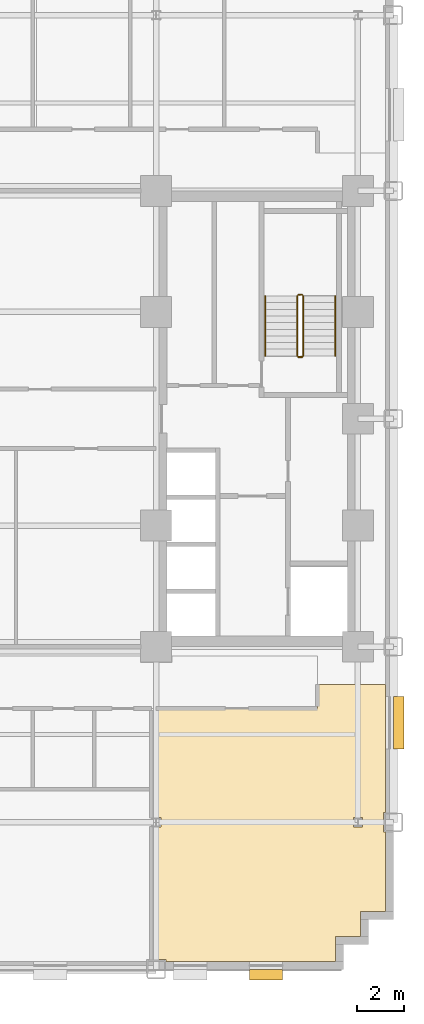
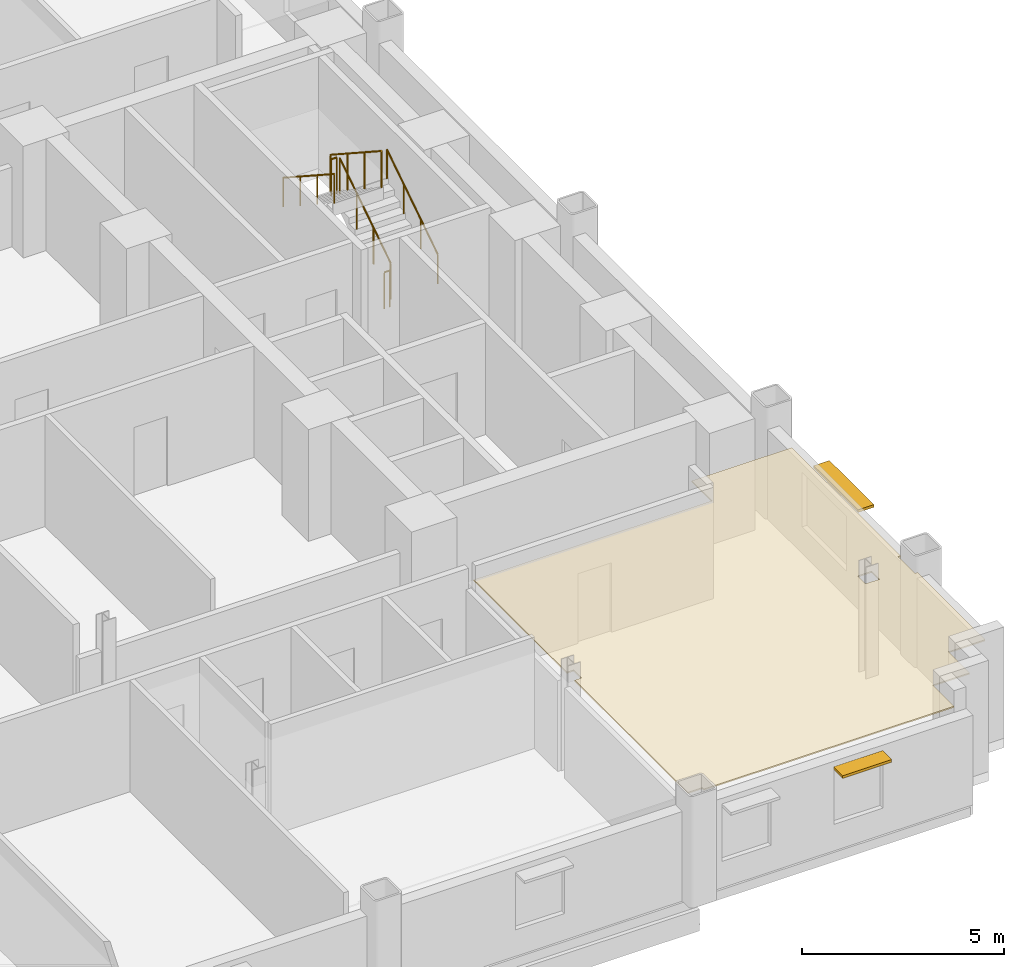
# One storey, part 11 of 12: 6 railings, 2 shading devices, 1 covering.
"""IFC4 building model written with IfcOpenShell, lengths in metres."""

from ifc_helpers import new_model, si_unit, direction, frame, origin, origin_2d, place, context, subcontext, project, spatial, polyline, rectangle, circle, outline, extrude, source, transform, mapped, material, layer, layer_set, type_object, type_shapes, element, save


model = new_model("IFC4")

# Units and contexts
model_context = context("Model", 3, precision=1e-05, world=origin(), true_north=direction((0.0, 1.0)))
body_context = subcontext(model_context, "Body", "Model", "MODEL_VIEW")
ifc_project = project(units=[si_unit("LENGTHUNIT", "METRE"), si_unit("AREAUNIT", "SQUARE_METRE"), si_unit("VOLUMEUNIT", "CUBIC_METRE"), si_unit("PLANEANGLEUNIT", "RADIAN"), si_unit("MASSUNIT", "GRAM", prefix="KILO")], contexts=[model_context])

# Site, building, storey
site_placement = place(None, origin())
site = spatial("IfcSite", under=ifc_project, at=site_placement, CompositionType="ELEMENT")
building_placement = place(site_placement, origin())
building = spatial("IfcBuilding", under=site, at=building_placement, Name="Nuvemarco Arch Tower", CompositionType="ELEMENT")
storey_placement = place(building_placement, frame((0.0, 0.0, 34.89990234375)))
storey = spatial("IfcBuildingStorey", under=building, at=storey_placement, Name="L08", CompositionType="ELEMENT", Elevation=34.89990234375)

# Covering
ifc_material_1 = material(Name="Mineral acoustic ceiling tile")
ifc_layer = layer(ifc_material_1, 0.0400390625, Name="COV-ACOUSTIC-CLG")
ifc_layer_set = layer_set([ifc_layer], Name="Mineral acoustic ceiling tile")
covering_type = type_object("IfcCoveringType", Name="COV-ACOUSTIC-CLG", PredefinedType="CEILING", material=ifc_layer_set)
covering_placement = place(storey_placement, frame((0.0, 0.0, 2.85009765625)))
element("IfcCovering", 1, at=covering_placement, inside=storey, type_object=covering_type, Name="L08 suspended acoustic ceiling 2", PredefinedType="CEILING", context=body_context, shape_type="SweptSolid", body=[
    extrude(outline(polyline([(16.56005859375, -22.860107421875), (9.4150390625, -22.860107421875), (9.4150390625, -22.784912109375), (9.0, -22.784912109375), (9.0, -17.195068359375), (9.195068359375, -17.195068359375), (9.195068359375, -16.804931640625), (9.0, -16.804931640625), (9.0, -12.199951171875), (15.800048828125, -12.199951171875), (15.800048828125, -11.199951171875), (18.659912109375, -11.199951171875), (18.659912109375, -16.5849609375), (18.5849609375, -16.5849609375), (18.5849609375, -17.4150390625), (18.659912109375, -17.4150390625), (18.659912109375, -20.760009765625), (17.610107421875, -20.760009765625), (17.610107421875, -21.81005859375), (16.56005859375, -21.81005859375), (16.56005859375, -22.860107421875)]), holes=[polyline([(17.695068359375, -17.195068359375), (17.695068359375, -16.804931640625), (17.304931640625, -16.804931640625), (17.304931640625, -17.195068359375), (17.695068359375, -17.195068359375)])]), origin(), (0.0, 0.0, 1.0), 0.0400390625),
])

# Railings
ifc_material_2 = material(Name="Brushed stainless steel handrail", Category="steel")
railing_type_1 = type_object("IfcRailingType", Name="RL-HANDRAIL-900", PredefinedType="HANDRAIL", material=ifc_material_2)
railing_1_placement = place(storey_placement, frame((16.550048828125, 2.64990234375, 0.1826171875)))
element("IfcRailing", 2, at=railing_1_placement, inside=storey, type_object=railing_type_1, Name="L08 ST-2 stair handrail 1", PredefinedType="HANDRAIL", context=body_context, shape_type="SweptSolid", body=[
    extrude(circle(Radius=0.02392578125, at=origin_2d()), frame((0.0, 0.0, 0.8759765625), z_axis=(0.0, 0.837749427056, 0.546054848405), x_axis=(-1.0, 0.0, 0.0)), (0.0, 0.0, 1.0), 3.008056640625),
    extrude(circle(Radius=0.02099609375, at=origin_2d()), origin(), (0.0, 0.0, 1.0), 0.851806640625),
    extrude(circle(Radius=0.02099609375, at=origin_2d()), frame((0.0, 0.840087890625, 0.547607421875)), (0.0, 0.0, 1.0), 0.851806640625),
    extrude(circle(Radius=0.02099609375, at=origin_2d()), frame((0.0, 1.679931640625, 1.094970703125)), (0.0, 0.0, 1.0), 0.851806640625),
    extrude(circle(Radius=0.02099609375, at=origin_2d()), frame((0.0, 2.52001953125, 1.642578125)), (0.0, 0.0, 1.0), 0.851806640625),
])
railing_2_placement = place(storey_placement, frame((13.590087890625, 5.169921875, 2.007568359375)))
element("IfcRailing", 3, at=railing_2_placement, inside=storey, type_object=railing_type_1, Name="L08 ST-2 stair handrail 2", PredefinedType="HANDRAIL", context=body_context, shape_type="SweptSolid", body=[
    extrude(circle(Radius=0.02392578125, at=origin_2d()), frame((0.0, 0.0, 0.8759765625), z_axis=(0.0, -0.837749427056, 0.546054848405), x_axis=(1.0, 0.0, 0.0)), (0.0, 0.0, 1.0), 3.008056640625),
    extrude(circle(Radius=0.02099609375, at=origin_2d()), origin(), (0.0, 0.0, 1.0), 0.851806640625),
    extrude(circle(Radius=0.02099609375, at=origin_2d()), frame((0.0, -0.840087890625, 0.547607421875)), (0.0, 0.0, 1.0), 0.851806640625),
    extrude(circle(Radius=0.02099609375, at=origin_2d()), frame((0.0, -1.679931640625, 1.094970703125)), (0.0, 0.0, 1.0), 0.851806640625),
    extrude(circle(Radius=0.02099609375, at=origin_2d()), frame((0.0, -2.52001953125, 1.642578125)), (0.0, 0.0, 1.0), 0.851806640625),
])
ifc_material_3 = material(Name="Painted balustrade steel S355", Category="steel")
railing_type_2 = type_object("IfcRailingType", Name="RL-STAIR-GUARD", PredefinedType="GUARDRAIL", material=ifc_material_3)
railing_3_placement = place(storey_placement, frame((15.199951171875, 2.64990234375, 0.1826171875)))
element("IfcRailing", 4, at=railing_3_placement, inside=storey, type_object=railing_type_2, Name="L08 ST-2 stair guard 1", PredefinedType="GUARDRAIL", context=body_context, shape_type="SweptSolid", body=[
    extrude(circle(Radius=0.02392578125, at=origin_2d()), frame((0.0, 0.0, 1.09619140625), z_axis=(0.0, 0.837749427056, 0.546054848405), x_axis=(-1.0, 0.0, 0.0)), (0.0, 0.0, 1.0), 3.008056640625),
    extrude(circle(Radius=0.02099609375, at=origin_2d()), origin(), (0.0, 0.0, 1.0), 1.072021484375),
    extrude(circle(Radius=0.02099609375, at=origin_2d()), frame((0.0, 0.840087890625, 0.547607421875)), (0.0, 0.0, 1.0), 1.072021484375),
    extrude(circle(Radius=0.02099609375, at=origin_2d()), frame((0.0, 1.679931640625, 1.094970703125)), (0.0, 0.0, 1.0), 1.072021484375),
    extrude(circle(Radius=0.02099609375, at=origin_2d()), frame((0.0, 2.52001953125, 1.642578125)), (0.0, 0.0, 1.0), 1.072021484375),
])
railing_4_placement = place(storey_placement, frame((15.14990234375, 5.219970703125, 1.8251953125)))
element("IfcRailing", 5, at=railing_4_placement, inside=storey, type_object=railing_type_2, Name="L08 ST-2 stair guard 2", PredefinedType="GUARDRAIL", context=body_context, shape_type="SweptSolid", body=[
    extrude(circle(Radius=0.02392578125, at=origin_2d()), frame((0.0, 0.0, 1.09619140625), z_axis=(-1.0, 0.0, 0.0), x_axis=(0.0, -1.0, 0.0)), (0.0, 0.0, 1.0), 0.159912109375),
    extrude(circle(Radius=0.02099609375, at=origin_2d()), origin(), (0.0, 0.0, 1.0), 1.072021484375),
    extrude(circle(Radius=0.02099609375, at=origin_2d()), frame((-0.159912109375, 0.0, 0.0)), (0.0, 0.0, 1.0), 1.072021484375),
])
railing_5_placement = place(storey_placement, frame((14.93994140625, 5.169921875, 2.007568359375)))
element("IfcRailing", 6, at=railing_5_placement, inside=storey, type_object=railing_type_2, Name="L08 ST-2 stair guard 3", PredefinedType="GUARDRAIL", context=body_context, shape_type="SweptSolid", body=[
    extrude(circle(Radius=0.02392578125, at=origin_2d()), frame((0.0, 0.0, 1.09619140625), z_axis=(0.0, -0.837749427056, 0.546054848405), x_axis=(1.0, 0.0, 0.0)), (0.0, 0.0, 1.0), 3.008056640625),
    extrude(circle(Radius=0.02099609375, at=origin_2d()), origin(), (0.0, 0.0, 1.0), 1.072021484375),
    extrude(circle(Radius=0.02099609375, at=origin_2d()), frame((0.0, -0.840087890625, 0.547607421875)), (0.0, 0.0, 1.0), 1.072021484375),
    extrude(circle(Radius=0.02099609375, at=origin_2d()), frame((0.0, -1.679931640625, 1.094970703125)), (0.0, 0.0, 1.0), 1.072021484375),
    extrude(circle(Radius=0.02099609375, at=origin_2d()), frame((0.0, -2.52001953125, 1.642578125)), (0.0, 0.0, 1.0), 1.072021484375),
])
railing_6_placement = place(storey_placement, frame((15.14990234375, 2.60009765625, 0.0)))
element("IfcRailing", 7, at=railing_6_placement, inside=storey, type_object=railing_type_2, Name="L08 ST-2 stair guard 4", PredefinedType="GUARDRAIL", context=body_context, shape_type="SweptSolid", body=[
    extrude(circle(Radius=0.02392578125, at=origin_2d()), frame((0.0, 0.0, 1.09619140625), z_axis=(-1.0, 0.0, 0.0), x_axis=(0.0, -1.0, 0.0)), (0.0, 0.0, 1.0), 0.159912109375),
    extrude(circle(Radius=0.02099609375, at=origin_2d()), origin(), (0.0, 0.0, 1.0), 1.072021484375),
    extrude(circle(Radius=0.02099609375, at=origin_2d()), frame((-0.159912109375, 0.0, 0.0)), (0.0, 0.0, 1.0), 1.072021484375),
])

# Shading devices
ifc_material_4 = material(Name="Anodised aluminium 6063-T6", Category="aluminium")
shading_device_type_1 = type_object("IfcShadingDeviceType", Name="SHD-BRISE-SOLEIL", PredefinedType="USERDEFINED", material=ifc_material_4)
shared_shape_1 = source(origin(), body_context, "Body", "SweptSolid", [
    extrude(rectangle(XDim=2.199951171875, YDim=0.449951171875, at=origin_2d()), origin(), (0.0, 0.0, 1.0), 0.080078125),
])
type_shapes(shading_device_type_1, [shared_shape_1])
shading_device_1_placement = place(storey_placement, frame((19.215087890625, -12.802490234375, 2.455078125), z_axis=(0.0, 0.0, 1.0), x_axis=(0.0, 1.0, 0.0)))
element("IfcShadingDevice", 8, at=shading_device_1_placement, inside=storey, type_object=shading_device_type_1, Name="L08 horizontal brise-soleil sunshade", ObjectType="SUNSHADE", PredefinedType="USERDEFINED", context=body_context, shape_type="MappedRepresentation", body=[
    mapped(shared_shape_1, transform((0.0, 0.0, 0.0), scale=1.0)),
])
shading_device_type_2 = type_object("IfcShadingDeviceType", Name="SHD-BRISE-NARROW", PredefinedType="USERDEFINED", material=ifc_material_4)
shared_shape_2 = source(origin(), body_context, "Body", "SweptSolid", [
    extrude(rectangle(XDim=1.39990234375, YDim=0.449951171875, at=origin_2d()), origin(), (0.0, 0.0, 1.0), 0.080078125),
])
type_shapes(shading_device_type_2, [shared_shape_2])
shading_device_2_placement = place(storey_placement, frame((13.628662109375, -23.4150390625, 2.455078125), z_axis=(0.0, 0.0, 1.0), x_axis=(1.0, 0.0, 0.0)))
element("IfcShadingDevice", 9, at=shading_device_2_placement, inside=storey, type_object=shading_device_type_2, Name="L08 horizontal brise-soleil sunshade", ObjectType="SUNSHADE", PredefinedType="USERDEFINED", context=body_context, shape_type="MappedRepresentation", body=[
    mapped(shared_shape_2, transform((0.0, 0.0, 0.0), scale=1.0)),
])

save(model, "model.ifc")
